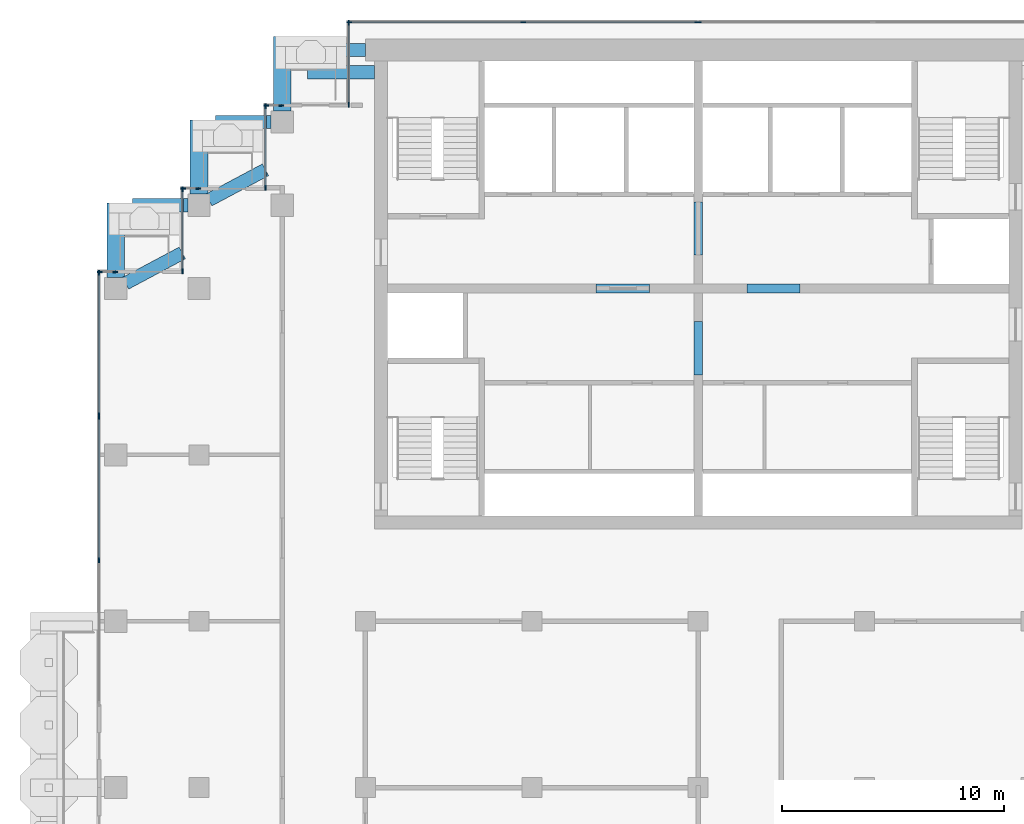
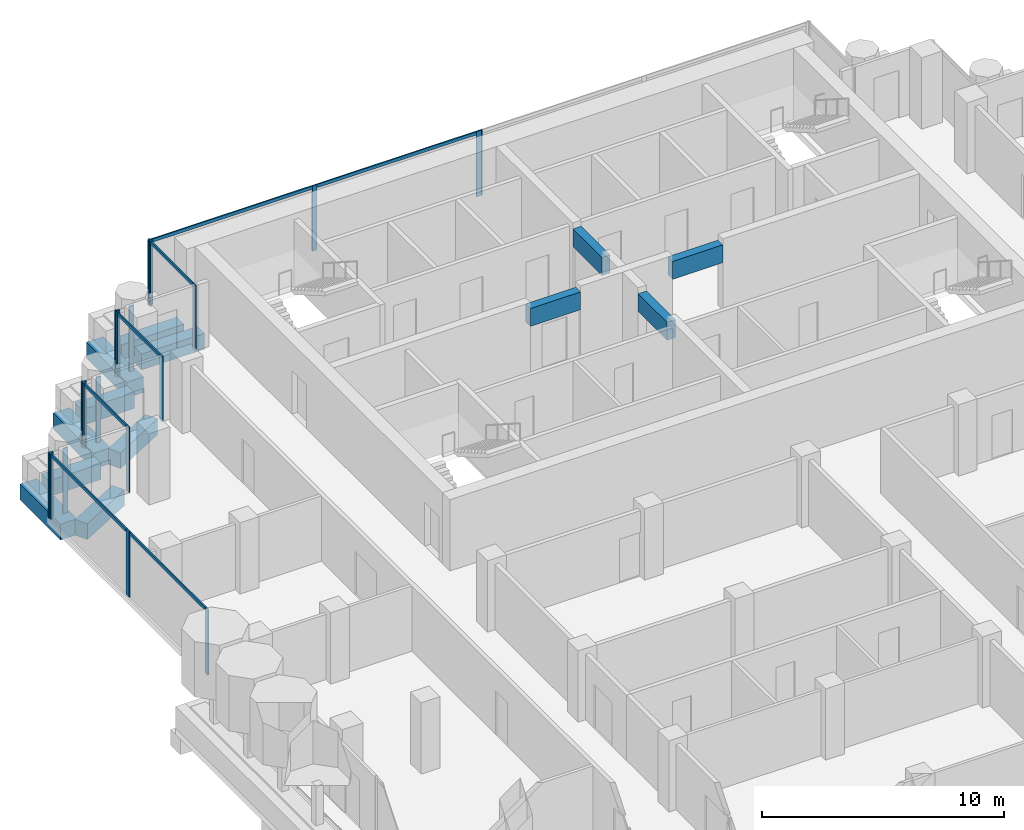
# One storey, part 5 of 18: 27 members, 13 beams, 10 elements without a shape of their own.
"""IFC4 building model written with IfcOpenShell, lengths in metres."""

import ifcopenshell
import ifcopenshell.guid

model = None  # the IFC model being written
_history = None  # IfcOwnerHistory: only IFC2X3 demands one
_inside = {}  # id of a spatial element -> (the spatial element, [elements in it])
_under = {}  # id of a project, library or spatial element -> (it, [spatial elements below it])
_declared = {}  # id of a project -> (the project, [libraries it declares])
_typed = {}  # id of a type object -> (the type object, [elements of that type])
_made_of = {}  # id of a material, layer set ... -> (it, [elements and type objects made of it])


def new_model(schema):
    """Start an empty IFC model of exactly this schema.

    Asked for "IFC4X3", IfcOpenShell would pick the latest addendum, in which some entities
    have other attributes; the version numbers below select the first issue.
    IFC2X3 requires an IfcOwnerHistory on every rooted entity: one is made here for all.
    """
    global model, _history
    if schema == "IFC4X3":
        model = ifcopenshell.file(schema_version=(4, 3, 0, 0))
    else:
        model = ifcopenshell.file(schema=schema)
    _inside.clear()
    _under.clear()
    _declared.clear()
    _typed.clear()
    _made_of.clear()
    _history = None
    if model.schema == "IFC2X3":
        org = make("IfcOrganization", Name="unknown")
        user = make(
            "IfcPersonAndOrganization",
            ThePerson=make("IfcPerson", FamilyName="unknown"),
            TheOrganization=org,
        )
        app = make(
            "IfcApplication",
            ApplicationDeveloper=org,
            Version="unknown",
            ApplicationFullName="unknown",
            ApplicationIdentifier="unknown",
        )
        _history = make(
            "IfcOwnerHistory",
            OwningUser=user,
            OwningApplication=app,
            ChangeAction="ADDED",
            CreationDate=0,
        )
    return model


def make(cls, **values):
    """One entity of the class cls with the attributes given. An attribute that is None is left unset."""
    return model.create_entity(
        cls, **{name: value for name, value in values.items() if value is not None}
    )


def rooted(cls, **values):
    """An entity with a GlobalId (a new one), such as an element, a storey or a relation."""
    return make(cls, GlobalId=ifcopenshell.guid.new(), OwnerHistory=_history, **values)


def si_unit(unit_type, name, prefix=None):
    """IfcSIUnit, for example si_unit("LENGTHUNIT", "METRE", prefix="MILLI")."""
    return make("IfcSIUnit", UnitType=unit_type, Prefix=prefix, Name=name)


def assignment(units):
    """IfcUnitAssignment: the units of a project."""
    return None if units is None else make("IfcUnitAssignment", Units=units)


def point(xyz):
    """IfcCartesianPoint."""
    return None if xyz is None else make("IfcCartesianPoint", Coordinates=xyz)


def direction(xyz):
    """IfcDirection."""
    return None if xyz is None else make("IfcDirection", DirectionRatios=xyz)


def frame(location, z_axis=None, x_axis=None):
    """IfcAxis2Placement3D, a coordinate frame: its origin and axes. An axis left out is left unset."""
    return make(
        "IfcAxis2Placement3D",
        Location=point(location),
        Axis=direction(z_axis),
        RefDirection=direction(x_axis),
    )


def frame_2d(location, x_axis=None):
    """IfcAxis2Placement2D, a coordinate frame in the plane: its origin and x axis."""
    return make(
        "IfcAxis2Placement2D", Location=point(location), RefDirection=direction(x_axis)
    )


def origin():
    """The frame at (0, 0, 0) with its axes left unset."""
    return frame((0.0, 0.0, 0.0))


def origin_2d():
    """The frame at (0, 0) in the plane with its x axis left unset."""
    return frame_2d((0.0, 0.0))


def place(relative_to, where):
    """IfcLocalPlacement: puts the frame where relative to a parent placement (None: the world)."""
    return make(
        "IfcLocalPlacement", PlacementRelTo=relative_to, RelativePlacement=where
    )


def context(
    kind, dimensions, precision=None, world=None, true_north=None, identifier=None
):
    """IfcGeometricRepresentationContext, for example the 3D "Model" context."""
    return make(
        "IfcGeometricRepresentationContext",
        ContextIdentifier=identifier,
        ContextType=kind,
        CoordinateSpaceDimension=dimensions,
        Precision=precision,
        WorldCoordinateSystem=world,
        TrueNorth=true_north,
    )


def subcontext(parent, identifier, kind, view, scale=None):
    """IfcGeometricRepresentationSubContext, for example "Body" below "Model"."""
    return make(
        "IfcGeometricRepresentationSubContext",
        ContextIdentifier=identifier,
        ContextType=kind,
        ParentContext=parent,
        TargetScale=scale,
        TargetView=view,
    )


def project(units=None, contexts=None):
    """IfcProject with its units and contexts."""
    return rooted(
        "IfcProject",
        Name="project",
        RepresentationContexts=contexts,
        UnitsInContext=assignment(units),
    )


def spatial(cls, under=None, at=None, **own):
    """A site, building, storey or space (cls), placed at a placement, below another one or the project."""
    s = rooted(cls, ObjectPlacement=at, **own)
    if under is not None:
        _under.setdefault(under.id(), (under, []))[1].append(s)
    return s


def profile(cls, at=None, kind="AREA", **sizes):
    """A parametric profile (cls). Its sizes go by their IFC names, for example OverallWidth=200.0."""
    return make(cls, ProfileType=kind, Position=at, **sizes)


def rectangle(**sizes):
    """IfcRectangleProfileDef."""
    return profile("IfcRectangleProfileDef", **sizes)


def extrude(swept, where, along, depth):
    """IfcExtrudedAreaSolid: the profile swept, set in the frame where, extruded along a direction by depth."""
    return make(
        "IfcExtrudedAreaSolid",
        SweptArea=swept,
        Position=where,
        ExtrudedDirection=direction(along),
        Depth=depth,
    )


def shape(context_of_items, identifier, shape_type, items):
    """IfcShapeRepresentation: the items that make up one representation, for example the "Body"."""
    return make(
        "IfcShapeRepresentation",
        ContextOfItems=context_of_items,
        RepresentationIdentifier=identifier,
        RepresentationType=shape_type,
        Items=items,
    )


def material(Name=None, Category=None):
    """IfcMaterial."""
    return make("IfcMaterial", Name=Name, Category=Category)


def material_profile(
    of_material, cross_section, Name=None, Category=None, Priority=None
):
    """IfcMaterialProfile: a cross section and its material."""
    return make(
        "IfcMaterialProfile",
        Name=Name,
        Material=of_material,
        Profile=cross_section,
        Priority=Priority,
        Category=Category,
    )


def profile_set(profiles, Name=None, composite=None):
    """IfcMaterialProfileSet."""
    return make(
        "IfcMaterialProfileSet",
        Name=Name,
        MaterialProfiles=profiles,
        CompositeProfile=composite,
    )


def made_of(thing, what):
    """Note that an element or type object is made of a material, layer set ...; save() writes the relation."""
    if what is not None:
        _made_of.setdefault(what.id(), (what, []))[1].append(thing)
    return thing


def type_object(cls, material=None, **own):
    """A type object (cls), such as IfcWallType, which elements share."""
    return made_of(rooted(cls, **own), material)


def element(
    cls,
    number,
    at=None,
    inside=None,
    cuts=None,
    type_object=None,
    material=None,
    context=None,
    identifier="Body",
    shape_type=None,
    held_by="IfcProductDefinitionShape",
    body=None,
    shapes=None,
    **own,
):
    """One element of the class cls, such as IfcWall. Its Tag is "e" and its number.

    at: its placement. inside: the storey or other place that contains it. cuts: it is an
    opening in that element (IfcRelVoidsElement). A single representation is given by context,
    identifier, shape_type and body (its items); several are given by shapes. held_by: the class
    of the entity that holds the representations. save() writes the other relations.
    """
    e = rooted(cls, Tag="e%d" % number, ObjectPlacement=at, **own)
    if body is not None:
        shapes = [shape(context, identifier, shape_type, body)]
    if shapes is not None:
        e.Representation = make(held_by, Representations=shapes)
    if inside is not None:
        _inside.setdefault(inside.id(), (inside, []))[1].append(e)
    if cuts is not None:
        rooted(
            "IfcRelVoidsElement", RelatingBuildingElement=cuts, RelatedOpeningElement=e
        )
    if type_object is not None:
        _typed.setdefault(type_object.id(), (type_object, []))[1].append(e)
    return made_of(e, material)


def aggregate(whole, parts):
    """IfcRelAggregates: a whole, such as a stair, and the parts it consists of."""
    return rooted("IfcRelAggregates", RelatingObject=whole, RelatedObjects=parts)


def save(model, path):
    """Write the relations noted so far, then the file.

    IfcRelAggregates (storeys below a building ...), IfcRelContainedInSpatialStructure (elements
    in a storey), IfcRelDefinesByType, IfcRelAssociatesMaterial and IfcRelDeclares: one each for
    every whole, place, type object, material and project.
    """
    for whole, parts in _under.values():
        aggregate(whole, parts)
    for where, things in _inside.values():
        rooted(
            "IfcRelContainedInSpatialStructure",
            RelatedElements=things,
            RelatingStructure=where,
        )
    for kind, things in _typed.values():
        rooted("IfcRelDefinesByType", RelatedObjects=things, RelatingType=kind)
    for what, things in _made_of.values():
        rooted("IfcRelAssociatesMaterial", RelatedObjects=things, RelatingMaterial=what)
    for by, libraries in _declared.values():
        rooted("IfcRelDeclares", RelatingContext=by, RelatedDefinitions=libraries)
    model.write(path)


model = new_model("IFC4")

# Units and contexts
model_context = context("Model", 3, precision=1e-05, world=origin(), true_north=direction((0.0, 1.0)))
body_context = subcontext(model_context, "Body", "Model", "MODEL_VIEW")
ifc_project = project(units=[si_unit("LENGTHUNIT", "METRE"), si_unit("AREAUNIT", "SQUARE_METRE"), si_unit("VOLUMEUNIT", "CUBIC_METRE"), si_unit("PLANEANGLEUNIT", "RADIAN"), si_unit("MASSUNIT", "GRAM", prefix="KILO")], contexts=[model_context])

# Site, building, storey
site_placement = place(None, origin())
site = spatial("IfcSite", under=ifc_project, at=site_placement, CompositionType="ELEMENT")
building_placement = place(site_placement, origin())
building = spatial("IfcBuilding", under=site, at=building_placement, Name="Pilkhan Gate Tower", CompositionType="ELEMENT")
storey_placement = place(building_placement, frame((0.0, 0.0, 203.10009765625)))
storey = spatial("IfcBuildingStorey", under=building, at=storey_placement, Name="L52", CompositionType="ELEMENT", Elevation=203.10009765625)

# Beams
ifc_material_1 = material(Name="Concrete C50/60", Category="concrete")
ifc_material_profile_1 = material_profile(ifc_material_1, rectangle(XDim=0.60009765625, YDim=0.800048828125, at=origin_2d()), Name="RC 600x800")
ifc_profile_set_1 = profile_set([ifc_material_profile_1], Name="Concrete C50/60")
beam_type_1 = type_object("IfcBeamType", Name="Cantilever beam CB1 RC 600x800 C50/60", PredefinedType="BEAM", material=ifc_profile_set_1)
for number, where, z_axis, x_axis, name in (
    (1, (60.0, 93.25, -0.7001953125), (-1.0, 0.0, 0.0), (0.0, -1.0, 0.0), "Balcony beam NW.2 L52"),
    (2, (60.39990234375, 92.25, -0.7001953125), (-1.0, 0.0, 0.0), (0.0, -1.0, 0.0), "Balcony beam NW.3 L52"),
):
    element("IfcBeam", number, at=place(storey_placement, frame(where, z_axis=z_axis, x_axis=x_axis)), inside=storey, type_object=beam_type_1, Name=name, PredefinedType="BEAM", context=body_context, shape_type="SweptSolid", body=[
        extrude(rectangle(XDim=0.60009765625, YDim=0.800048828125, at=origin_2d()), origin(), (0.0, 0.0, 1.0), 3.0),
    ])
beam_1_placement = place(storey_placement, frame((55.75, 90.0, -0.7001953125), z_axis=(-1.0, 0.0, 0.0), x_axis=(0.0, -1.0, 0.0)))
element("IfcBeam", 3, at=beam_1_placement, inside=storey, type_object=beam_type_1, Name="Balcony beam NW1.2 L52", PredefinedType="BEAM", context=body_context, shape_type="SweptSolid", body=[
    extrude(rectangle(XDim=0.60009765625, YDim=0.800048828125, at=origin_2d()), origin(), (0.0, 0.0, 1.0), 2.5),
])
beam_2_placement = place(storey_placement, frame((52.941162109375, 86.4853515625, -0.7001953125), z_axis=(0.882348280344, 0.470596974251, 0.0), x_axis=(-0.470596974251, 0.882348280344, 0.0)))
element("IfcBeam", 4, at=beam_2_placement, inside=storey, type_object=beam_type_1, Name="Balcony beam NW1.3 L52", PredefinedType="BEAM", context=body_context, shape_type="SweptSolid", body=[
    extrude(rectangle(XDim=0.60009765625, YDim=0.800048828125, at=origin_2d()), origin(), (0.0, 0.0, 1.0), 2.900146484375),
])
beam_3_placement = place(storey_placement, frame((52.0, 86.25, -0.7001953125), z_axis=(-1.0, 0.0, 0.0), x_axis=(0.0, -1.0, 0.0)))
element("IfcBeam", 5, at=beam_3_placement, inside=storey, type_object=beam_type_1, Name="Balcony beam NW2.2 L52", PredefinedType="BEAM", context=body_context, shape_type="SweptSolid", body=[
    extrude(rectangle(XDim=0.60009765625, YDim=0.800048828125, at=origin_2d()), origin(), (0.0, 0.0, 1.0), 2.5),
])
beam_4_placement = place(storey_placement, frame((49.191162109375, 82.7353515625, -0.7001953125), z_axis=(0.882348280344, 0.470596974251, 0.0), x_axis=(-0.470596974251, 0.882348280344, 0.0)))
element("IfcBeam", 6, at=beam_4_placement, inside=storey, type_object=beam_type_1, Name="Balcony beam NW2.3 L52", PredefinedType="BEAM", context=body_context, shape_type="SweptSolid", body=[
    extrude(rectangle(XDim=0.60009765625, YDim=0.800048828125, at=origin_2d()), origin(), (0.0, 0.0, 1.0), 2.900146484375),
])
ifc_material_profile_2 = material_profile(ifc_material_1, rectangle(XDim=0.800048828125, YDim=0.800048828125, at=origin_2d()), Name="RC 800x800")
ifc_profile_set_2 = profile_set([ifc_material_profile_2], Name="Concrete C50/60")
beam_type_2 = type_object("IfcBeamType", Name="Cantilever beam CB2 RC 800x800 C50/60", PredefinedType="BEAM", material=ifc_profile_set_2)
for number, where, z_axis, x_axis, name in (
    (7, (56.25, 90.5, -0.7001953125), (0.0, 1.0, 0.0), (-1.0, 0.0, 0.0), "Balcony beam NW.1 L52"),
    (8, (52.5, 86.75, -0.7001953125), (0.0, 1.0, 0.0), (-1.0, 0.0, 0.0), "Balcony beam NW1.1 L52"),
    (9, (48.75, 83.0, -0.7001953125), (0.0, 1.0, 0.0), (-1.0, 0.0, 0.0), "Balcony beam NW2.1 L52"),
):
    element("IfcBeam", number, at=place(storey_placement, frame(where, z_axis=z_axis, x_axis=x_axis)), inside=storey, type_object=beam_type_2, Name=name, PredefinedType="BEAM", context=body_context, shape_type="SweptSolid", body=[
        extrude(rectangle(XDim=0.800048828125, YDim=0.800048828125, at=origin_2d()), origin(), (0.0, 0.0, 1.0), 3.35009765625),
    ])
ifc_material_profile_3 = material_profile(ifc_material_1, rectangle(XDim=0.39990234375, YDim=0.89990234375, at=origin_2d()), Name="RC 400x900")
ifc_profile_set_3 = profile_set([ifc_material_profile_3], Name="Concrete C50/60")
beam_type_3 = type_object("IfcBeamType", Name="Coupling beam CB90-4 RC 400x900 C50/60", PredefinedType="LINTEL", material=ifc_profile_set_3)
for number, where, z_axis, x_axis, name in (
    (10, (70.39990234375, 82.5, 2.849853515625), (1.0, 0.0, 0.0), (0.0, 1.0, 0.0), "Coupling beam 1 L52"),
    (11, (77.199951171875, 82.5, 2.849853515625), (1.0, 0.0, 0.0), (0.0, 1.0, 0.0), "Coupling beam 2 L52"),
):
    element("IfcBeam", number, at=place(storey_placement, frame(where, z_axis=z_axis, x_axis=x_axis)), inside=storey, type_object=beam_type_3, Name=name, PredefinedType="LINTEL", context=body_context, shape_type="SweptSolid", body=[
        extrude(rectangle(XDim=0.39990234375, YDim=0.89990234375, at=origin_2d()), origin(), (0.0, 0.0, 1.0), 2.400146484375),
    ])
for number, where, z_axis, x_axis, name in (
    (12, (75.0, 78.60009765625, 2.849853515625), (0.0, 1.0, 0.0), (-1.0, 0.0, 0.0), "Coupling beam 3 L52"),
    (13, (75.0, 84.0, 2.849853515625), (0.0, 1.0, 0.0), (-1.0, 0.0, 0.0), "Coupling beam 4 L52"),
):
    element("IfcBeam", number, at=place(storey_placement, frame(where, z_axis=z_axis, x_axis=x_axis)), inside=storey, type_object=beam_type_3, Name=name, PredefinedType="LINTEL", context=body_context, shape_type="SweptSolid", body=[
        extrude(rectangle(XDim=0.39990234375, YDim=0.89990234375, at=origin_2d()), origin(), (0.0, 0.0, 1.0), 2.39990234375),
    ])

# Curtain wall, members
ifc_material_2 = material(Name="Pale anodised aluminium, clear low-iron double glazing", Category="aluminium")
curtain_wall_type = type_object("IfcCurtainWallType", Name="Office unitised curtain wall CW-O2", PredefinedType="USERDEFINED", material=ifc_material_2)
curtain_wall_1_placement = place(storey_placement, origin())
curtain_wall_1 = element("IfcCurtainWall", 14, at=curtain_wall_1_placement, inside=storey, type_object=curtain_wall_type, Name="Office unitised curtain wall CW-O2 L52 N", ObjectType="UNITISED CURTAIN WALL", PredefinedType="USERDEFINED")
ifc_material_3 = material(Name="Pale anodised aluminium", Category="aluminium")
ifc_material_profile_4 = material_profile(ifc_material_3, rectangle(XDim=0.06494140625, YDim=0.22509765625, at=origin_2d()), Name="Mullion 225x65")
ifc_profile_set_4 = profile_set([ifc_material_profile_4], Name="Pale anodised aluminium")
member_type_1 = type_object("IfcMemberType", Name="Mullion CW-O2 225x65", PredefinedType="MULLION", material=ifc_profile_set_4)
member_1_placement = place(storey_placement, frame((59.282470703125, 94.5, 0.0), z_axis=(0.0, 0.0, 1.0), x_axis=(0.0, 1.0, 0.0)))
member_1 = element("IfcMember", 15, at=member_1_placement, type_object=member_type_1, Name="CW-O2 mullion 1", PredefinedType="MULLION", context=body_context, shape_type="SweptSolid", body=[
    extrude(rectangle(XDim=0.06494140625, YDim=0.22509765625, at=origin_2d()), origin(), (0.0, 0.0, 1.0), 3.2998046875),
])
member_2_placement = place(storey_placement, frame((67.125, 94.5, 0.0), z_axis=(0.0, 0.0, 1.0), x_axis=(0.0, 1.0, 0.0)))
member_2 = element("IfcMember", 16, at=member_2_placement, type_object=member_type_1, Name="CW-O2 mullion 2", PredefinedType="MULLION", context=body_context, shape_type="SweptSolid", body=[
    extrude(rectangle(XDim=0.06494140625, YDim=0.22509765625, at=origin_2d()), origin(), (0.0, 0.0, 1.0), 3.2998046875),
])
member_3_placement = place(storey_placement, frame((74.967529296875, 94.5, 0.0), z_axis=(0.0, 0.0, 1.0), x_axis=(0.0, 1.0, 0.0)))
member_3 = element("IfcMember", 17, at=member_3_placement, type_object=member_type_1, Name="CW-O2 mullion 3", PredefinedType="MULLION", context=body_context, shape_type="SweptSolid", body=[
    extrude(rectangle(XDim=0.06494140625, YDim=0.22509765625, at=origin_2d()), origin(), (0.0, 0.0, 1.0), 3.2998046875),
])

# Curtain wall, member
curtain_wall_2_placement = place(storey_placement, origin())
curtain_wall_2 = element("IfcCurtainWall", 18, at=curtain_wall_2_placement, inside=storey, type_object=curtain_wall_type, Name="Office unitised curtain wall CW-O2 L52 N", ObjectType="UNITISED CURTAIN WALL", PredefinedType="USERDEFINED")
member_4_placement = place(storey_placement, frame((75.032470703125, 94.5, 0.0), z_axis=(0.0, 0.0, 1.0), x_axis=(0.0, 1.0, 0.0)))
member_4 = element("IfcMember", 19, at=member_4_placement, type_object=member_type_1, Name="CW-O2 mullion 1", PredefinedType="MULLION", context=body_context, shape_type="SweptSolid", body=[
    extrude(rectangle(XDim=0.06494140625, YDim=0.22509765625, at=origin_2d()), origin(), (0.0, 0.0, 1.0), 3.2998046875),
])
aggregate(curtain_wall_2, [member_4])

# Curtain wall, members
curtain_wall_3_placement = place(storey_placement, origin())
curtain_wall_3 = element("IfcCurtainWall", 20, at=curtain_wall_3_placement, inside=storey, type_object=curtain_wall_type, Name="Office unitised curtain wall CW-O2 L52 W", ObjectType="UNITISED CURTAIN WALL", PredefinedType="USERDEFINED")
member_5_placement = place(storey_placement, frame((59.25, 90.782470703125, 0.0), z_axis=(0.0, 0.0, 1.0), x_axis=(-1.0, 0.0, 0.0)))
member_5 = element("IfcMember", 21, at=member_5_placement, type_object=member_type_1, Name="CW-O2 mullion 1", PredefinedType="MULLION", context=body_context, shape_type="SweptSolid", body=[
    extrude(rectangle(XDim=0.06494140625, YDim=0.22509765625, at=origin_2d()), origin(), (0.0, 0.0, 1.0), 3.2998046875),
])
member_6_placement = place(storey_placement, frame((59.25, 94.467529296875, 0.0), z_axis=(0.0, 0.0, 1.0), x_axis=(-1.0, 0.0, 0.0)))
member_6 = element("IfcMember", 22, at=member_6_placement, type_object=member_type_1, Name="CW-O2 mullion 2", PredefinedType="MULLION", context=body_context, shape_type="SweptSolid", body=[
    extrude(rectangle(XDim=0.06494140625, YDim=0.22509765625, at=origin_2d()), origin(), (0.0, 0.0, 1.0), 3.2998046875),
])

curtain_wall_4_placement = place(storey_placement, origin())
curtain_wall_4 = element("IfcCurtainWall", 23, at=curtain_wall_4_placement, inside=storey, type_object=curtain_wall_type, Name="Office unitised curtain wall CW-O2 L52 N", ObjectType="UNITISED CURTAIN WALL", PredefinedType="USERDEFINED")
member_7_placement = place(storey_placement, frame((55.532470703125, 90.75, 0.0), z_axis=(0.0, 0.0, 1.0), x_axis=(0.0, 1.0, 0.0)))
member_7 = element("IfcMember", 24, at=member_7_placement, type_object=member_type_1, Name="CW-O2 mullion 1", PredefinedType="MULLION", context=body_context, shape_type="SweptSolid", body=[
    extrude(rectangle(XDim=0.06494140625, YDim=0.22509765625, at=origin_2d()), origin(), (0.0, 0.0, 1.0), 3.2998046875),
])
member_8_placement = place(storey_placement, frame((56.217529296875, 90.75, 0.0), z_axis=(0.0, 0.0, 1.0), x_axis=(0.0, 1.0, 0.0)))
member_8 = element("IfcMember", 25, at=member_8_placement, type_object=member_type_1, Name="CW-O2 mullion 2", PredefinedType="MULLION", context=body_context, shape_type="SweptSolid", body=[
    extrude(rectangle(XDim=0.06494140625, YDim=0.22509765625, at=origin_2d()), origin(), (0.0, 0.0, 1.0), 3.2998046875),
])
aggregate(curtain_wall_4, [member_7, member_8])

curtain_wall_5_placement = place(storey_placement, origin())
curtain_wall_5 = element("IfcCurtainWall", 26, at=curtain_wall_5_placement, inside=storey, type_object=curtain_wall_type, Name="Office unitised curtain wall CW-O2 L52 W", ObjectType="UNITISED CURTAIN WALL", PredefinedType="USERDEFINED")
member_9_placement = place(storey_placement, frame((55.5, 87.032470703125, 0.0), z_axis=(0.0, 0.0, 1.0), x_axis=(-1.0, 0.0, 0.0)))
member_9 = element("IfcMember", 27, at=member_9_placement, type_object=member_type_1, Name="CW-O2 mullion 1", PredefinedType="MULLION", context=body_context, shape_type="SweptSolid", body=[
    extrude(rectangle(XDim=0.06494140625, YDim=0.22509765625, at=origin_2d()), origin(), (0.0, 0.0, 1.0), 3.2998046875),
])
member_10_placement = place(storey_placement, frame((55.5, 90.717529296875, 0.0), z_axis=(0.0, 0.0, 1.0), x_axis=(-1.0, 0.0, 0.0)))
member_10 = element("IfcMember", 28, at=member_10_placement, type_object=member_type_1, Name="CW-O2 mullion 2", PredefinedType="MULLION", context=body_context, shape_type="SweptSolid", body=[
    extrude(rectangle(XDim=0.06494140625, YDim=0.22509765625, at=origin_2d()), origin(), (0.0, 0.0, 1.0), 3.2998046875),
])

curtain_wall_6_placement = place(storey_placement, origin())
curtain_wall_6 = element("IfcCurtainWall", 29, at=curtain_wall_6_placement, inside=storey, type_object=curtain_wall_type, Name="Office unitised curtain wall CW-O2 L52 N", ObjectType="UNITISED CURTAIN WALL", PredefinedType="USERDEFINED")
member_11_placement = place(storey_placement, frame((51.782470703125, 87.0, 0.0), z_axis=(0.0, 0.0, 1.0), x_axis=(0.0, 1.0, 0.0)))
member_11 = element("IfcMember", 30, at=member_11_placement, type_object=member_type_1, Name="CW-O2 mullion 1", PredefinedType="MULLION", context=body_context, shape_type="SweptSolid", body=[
    extrude(rectangle(XDim=0.06494140625, YDim=0.22509765625, at=origin_2d()), origin(), (0.0, 0.0, 1.0), 3.2998046875),
])
member_12_placement = place(storey_placement, frame((52.467529296875, 87.0, 0.0), z_axis=(0.0, 0.0, 1.0), x_axis=(0.0, 1.0, 0.0)))
member_12 = element("IfcMember", 31, at=member_12_placement, type_object=member_type_1, Name="CW-O2 mullion 2", PredefinedType="MULLION", context=body_context, shape_type="SweptSolid", body=[
    extrude(rectangle(XDim=0.06494140625, YDim=0.22509765625, at=origin_2d()), origin(), (0.0, 0.0, 1.0), 3.2998046875),
])
aggregate(curtain_wall_6, [member_11, member_12])

curtain_wall_7_placement = place(storey_placement, origin())
curtain_wall_7 = element("IfcCurtainWall", 32, at=curtain_wall_7_placement, inside=storey, type_object=curtain_wall_type, Name="Office unitised curtain wall CW-O2 L52 W", ObjectType="UNITISED CURTAIN WALL", PredefinedType="USERDEFINED")
member_13_placement = place(storey_placement, frame((51.75, 83.282470703125, 0.0), z_axis=(0.0, 0.0, 1.0), x_axis=(-1.0, 0.0, 0.0)))
member_13 = element("IfcMember", 33, at=member_13_placement, type_object=member_type_1, Name="CW-O2 mullion 1", PredefinedType="MULLION", context=body_context, shape_type="SweptSolid", body=[
    extrude(rectangle(XDim=0.06494140625, YDim=0.22509765625, at=origin_2d()), origin(), (0.0, 0.0, 1.0), 3.2998046875),
])
member_14_placement = place(storey_placement, frame((51.75, 86.967529296875, 0.0), z_axis=(0.0, 0.0, 1.0), x_axis=(-1.0, 0.0, 0.0)))
member_14 = element("IfcMember", 34, at=member_14_placement, type_object=member_type_1, Name="CW-O2 mullion 2", PredefinedType="MULLION", context=body_context, shape_type="SweptSolid", body=[
    extrude(rectangle(XDim=0.06494140625, YDim=0.22509765625, at=origin_2d()), origin(), (0.0, 0.0, 1.0), 3.2998046875),
])

curtain_wall_8_placement = place(storey_placement, origin())
curtain_wall_8 = element("IfcCurtainWall", 35, at=curtain_wall_8_placement, inside=storey, type_object=curtain_wall_type, Name="Office unitised curtain wall CW-O2 L52 N", ObjectType="UNITISED CURTAIN WALL", PredefinedType="USERDEFINED")
member_15_placement = place(storey_placement, frame((48.032470703125, 83.25, 0.0), z_axis=(0.0, 0.0, 1.0), x_axis=(0.0, 1.0, 0.0)))
member_15 = element("IfcMember", 36, at=member_15_placement, type_object=member_type_1, Name="CW-O2 mullion 1", PredefinedType="MULLION", context=body_context, shape_type="SweptSolid", body=[
    extrude(rectangle(XDim=0.06494140625, YDim=0.22509765625, at=origin_2d()), origin(), (0.0, 0.0, 1.0), 3.2998046875),
])
member_16_placement = place(storey_placement, frame((48.717529296875, 83.25, 0.0), z_axis=(0.0, 0.0, 1.0), x_axis=(0.0, 1.0, 0.0)))
member_16 = element("IfcMember", 37, at=member_16_placement, type_object=member_type_1, Name="CW-O2 mullion 2", PredefinedType="MULLION", context=body_context, shape_type="SweptSolid", body=[
    extrude(rectangle(XDim=0.06494140625, YDim=0.22509765625, at=origin_2d()), origin(), (0.0, 0.0, 1.0), 3.2998046875),
])
aggregate(curtain_wall_8, [member_15, member_16])

curtain_wall_9_placement = place(storey_placement, origin())
curtain_wall_9 = element("IfcCurtainWall", 38, at=curtain_wall_9_placement, inside=storey, type_object=curtain_wall_type, Name="Office unitised curtain wall CW-O2 L52 W", ObjectType="UNITISED CURTAIN WALL", PredefinedType="USERDEFINED")
member_17_placement = place(storey_placement, frame((48.0, 70.25, 0.0), z_axis=(0.0, 0.0, 1.0), x_axis=(-1.0, 0.0, 0.0)))
member_17 = element("IfcMember", 39, at=member_17_placement, type_object=member_type_1, Name="CW-O2 mullion 2", PredefinedType="MULLION", context=body_context, shape_type="SweptSolid", body=[
    extrude(rectangle(XDim=0.06494140625, YDim=0.22509765625, at=origin_2d()), origin(), (0.0, 0.0, 1.0), 3.2998046875),
])
member_18_placement = place(storey_placement, frame((48.0, 76.717529296875, 0.0), z_axis=(0.0, 0.0, 1.0), x_axis=(-1.0, 0.0, 0.0)))
member_18 = element("IfcMember", 40, at=member_18_placement, type_object=member_type_1, Name="CW-O2 mullion 3", PredefinedType="MULLION", context=body_context, shape_type="SweptSolid", body=[
    extrude(rectangle(XDim=0.06494140625, YDim=0.22509765625, at=origin_2d()), origin(), (0.0, 0.0, 1.0), 3.2998046875),
])

curtain_wall_10_placement = place(storey_placement, origin())
curtain_wall_10 = element("IfcCurtainWall", 41, at=curtain_wall_10_placement, inside=storey, type_object=curtain_wall_type, Name="Office unitised curtain wall CW-O2 L52 W", ObjectType="UNITISED CURTAIN WALL", PredefinedType="USERDEFINED")
member_19_placement = place(storey_placement, frame((48.0, 76.782470703125, 0.0), z_axis=(0.0, 0.0, 1.0), x_axis=(-1.0, 0.0, 0.0)))
member_19 = element("IfcMember", 42, at=member_19_placement, type_object=member_type_1, Name="CW-O2 mullion 1", PredefinedType="MULLION", context=body_context, shape_type="SweptSolid", body=[
    extrude(rectangle(XDim=0.06494140625, YDim=0.22509765625, at=origin_2d()), origin(), (0.0, 0.0, 1.0), 3.2998046875),
])
member_20_placement = place(storey_placement, frame((48.0, 83.217529296875, 0.0), z_axis=(0.0, 0.0, 1.0), x_axis=(-1.0, 0.0, 0.0)))
member_20 = element("IfcMember", 43, at=member_20_placement, type_object=member_type_1, Name="CW-O2 mullion 2", PredefinedType="MULLION", context=body_context, shape_type="SweptSolid", body=[
    extrude(rectangle(XDim=0.06494140625, YDim=0.22509765625, at=origin_2d()), origin(), (0.0, 0.0, 1.0), 3.2998046875),
])

# Member
ifc_material_profile_5 = material_profile(ifc_material_3, rectangle(XDim=0.06494140625, YDim=0.1650390625, at=origin_2d()), Name="Transom 165x65")
ifc_profile_set_5 = profile_set([ifc_material_profile_5], Name="Pale anodised aluminium")
member_type_2 = type_object("IfcMemberType", Name="Transom CW-O2 165x65", PredefinedType="USERDEFINED", material=ifc_profile_set_5)
member_21_placement = place(storey_placement, frame((59.31494140625, 94.5, 3.21728515625), z_axis=(1.0, 0.0, 0.0), x_axis=(0.0, 1.0, 0.0)))
member_21 = element("IfcMember", 44, at=member_21_placement, type_object=member_type_2, Name="CW-O2 transom 1", ObjectType="TRANSOM", PredefinedType="USERDEFINED", context=body_context, shape_type="SweptSolid", body=[
    extrude(rectangle(XDim=0.06494140625, YDim=0.1650390625, at=origin_2d()), origin(), (0.0, 0.0, 1.0), 7.777587890625),
])

member_22_placement = place(storey_placement, frame((67.157470703125, 94.5, 3.21728515625), z_axis=(1.0, 0.0, 0.0), x_axis=(0.0, 1.0, 0.0)))
member_22 = element("IfcMember", 45, at=member_22_placement, type_object=member_type_2, Name="CW-O2 transom 2", ObjectType="TRANSOM", PredefinedType="USERDEFINED", context=body_context, shape_type="SweptSolid", body=[
    extrude(rectangle(XDim=0.06494140625, YDim=0.1650390625, at=origin_2d()), origin(), (0.0, 0.0, 1.0), 7.777587890625),
])

aggregate(curtain_wall_1, [member_1, member_2, member_3, member_21, member_22])

member_23_placement = place(storey_placement, frame((59.25, 90.81494140625, 3.21728515625), z_axis=(0.0, 1.0, 0.0), x_axis=(-1.0, 0.0, 0.0)))
member_23 = element("IfcMember", 46, at=member_23_placement, type_object=member_type_2, Name="CW-O2 transom 1", ObjectType="TRANSOM", PredefinedType="USERDEFINED", context=body_context, shape_type="SweptSolid", body=[
    extrude(rectangle(XDim=0.06494140625, YDim=0.1650390625, at=origin_2d()), origin(), (0.0, 0.0, 1.0), 3.6201171875),
])

aggregate(curtain_wall_3, [member_5, member_6, member_23])

member_24_placement = place(storey_placement, frame((55.5, 87.06494140625, 3.21728515625), z_axis=(0.0, 1.0, 0.0), x_axis=(-1.0, 0.0, 0.0)))
member_24 = element("IfcMember", 47, at=member_24_placement, type_object=member_type_2, Name="CW-O2 transom 1", ObjectType="TRANSOM", PredefinedType="USERDEFINED", context=body_context, shape_type="SweptSolid", body=[
    extrude(rectangle(XDim=0.06494140625, YDim=0.1650390625, at=origin_2d()), origin(), (0.0, 0.0, 1.0), 3.6201171875),
])

aggregate(curtain_wall_5, [member_9, member_10, member_24])

member_25_placement = place(storey_placement, frame((51.75, 83.31494140625, 3.21728515625), z_axis=(0.0, 1.0, 0.0), x_axis=(-1.0, 0.0, 0.0)))
member_25 = element("IfcMember", 48, at=member_25_placement, type_object=member_type_2, Name="CW-O2 transom 1", ObjectType="TRANSOM", PredefinedType="USERDEFINED", context=body_context, shape_type="SweptSolid", body=[
    extrude(rectangle(XDim=0.06494140625, YDim=0.1650390625, at=origin_2d()), origin(), (0.0, 0.0, 1.0), 3.6201171875),
])

aggregate(curtain_wall_7, [member_13, member_14, member_25])

member_26_placement = place(storey_placement, frame((48.0, 70.282470703125, 3.21728515625), z_axis=(0.0, 1.0, 0.0), x_axis=(-1.0, 0.0, 0.0)))
member_26 = element("IfcMember", 49, at=member_26_placement, type_object=member_type_2, Name="CW-O2 transom 2", ObjectType="TRANSOM", PredefinedType="USERDEFINED", context=body_context, shape_type="SweptSolid", body=[
    extrude(rectangle(XDim=0.06494140625, YDim=0.1650390625, at=origin_2d()), origin(), (0.0, 0.0, 1.0), 6.402587890625),
])

aggregate(curtain_wall_9, [member_17, member_18, member_26])

member_27_placement = place(storey_placement, frame((48.0, 76.81494140625, 3.21728515625), z_axis=(0.0, 1.0, 0.0), x_axis=(-1.0, 0.0, 0.0)))
member_27 = element("IfcMember", 50, at=member_27_placement, type_object=member_type_2, Name="CW-O2 transom 1", ObjectType="TRANSOM", PredefinedType="USERDEFINED", context=body_context, shape_type="SweptSolid", body=[
    extrude(rectangle(XDim=0.06494140625, YDim=0.1650390625, at=origin_2d()), origin(), (0.0, 0.0, 1.0), 6.3701171875),
])

aggregate(curtain_wall_10, [member_19, member_20, member_27])

save(model, "model.ifc")
